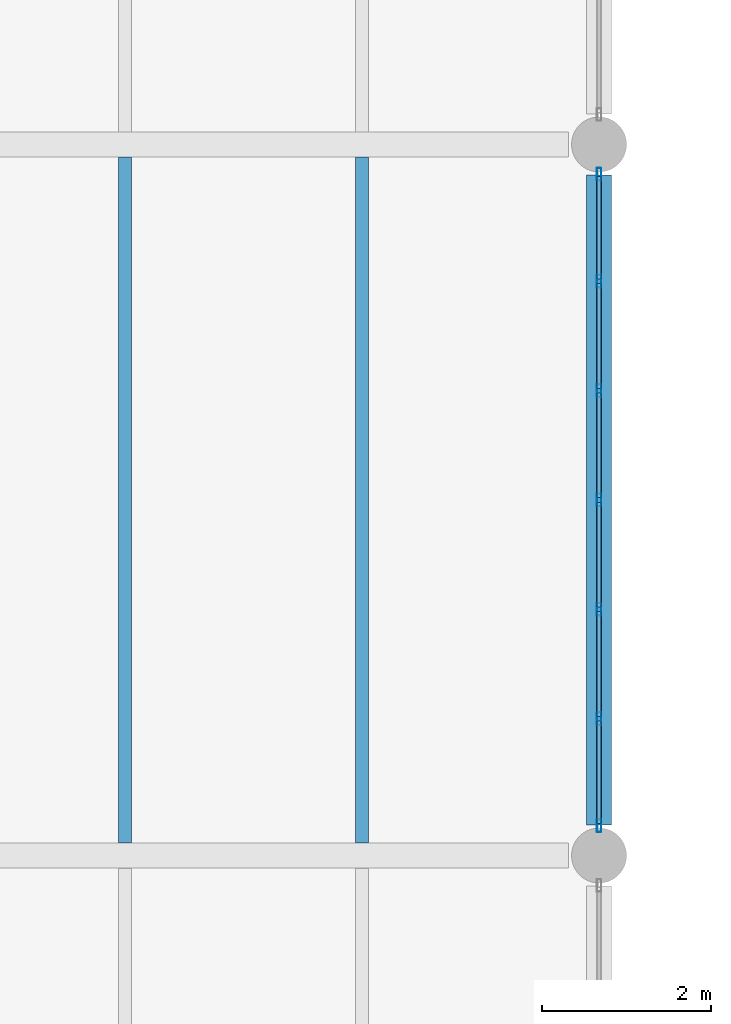
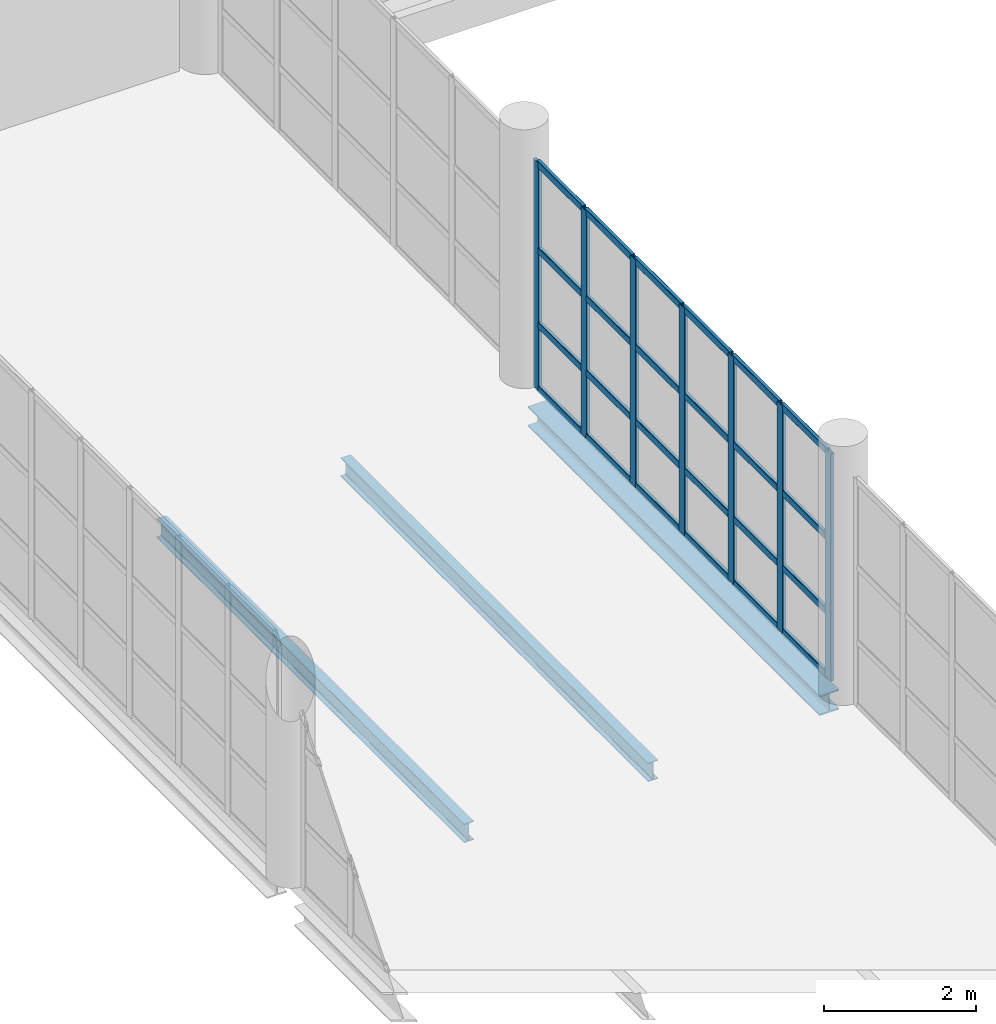
# One storey, part 38 of 177: 31 members, 3 beams, 1 element without a shape of its own.
"""IFC4 building model written with IfcOpenShell, lengths in metres."""

from ifc_helpers import new_model, si_unit, direction, frame, origin, origin_2d, place, context, subcontext, project, spatial, hollow_rectangle, i_section, extrude, material, layer, layer_set, material_profile, profile_set, type_object, element, aggregate, save


model = new_model("IFC4")

# Units and contexts
model_context = context("Model", 3, precision=1e-05, world=origin(), true_north=direction((0.0, 1.0)))
body_context = subcontext(model_context, "Body", "Model", "MODEL_VIEW")
ifc_project = project(units=[si_unit("LENGTHUNIT", "METRE"), si_unit("AREAUNIT", "SQUARE_METRE"), si_unit("VOLUMEUNIT", "CUBIC_METRE"), si_unit("PLANEANGLEUNIT", "RADIAN"), si_unit("MASSUNIT", "GRAM", prefix="KILO"), si_unit("THERMODYNAMICTEMPERATUREUNIT", "KELVIN"), si_unit("POWERUNIT", "WATT")], contexts=[model_context])

# Site, building, storey
site_placement = place(None, origin())
site = spatial("IfcSite", under=ifc_project, at=site_placement, CompositionType="ELEMENT")
building_placement = place(site_placement, origin())
building = spatial("IfcBuilding", under=site, at=building_placement, Name="Mavoryth Pier Ferry Terminal", CompositionType="ELEMENT")
storey_placement = place(building_placement, frame((0.0, 0.0, 5.43994140625)))
storey = spatial("IfcBuildingStorey", under=building, at=storey_placement, Name="L01", CompositionType="ELEMENT", Elevation=5.43994140625)

# Beams
ifc_material_1 = material(Name="Steel S355J2", Category="steel")
ifc_material_profile_1 = material_profile(ifc_material_1, i_section(OverallWidth=0.14990234375, OverallDepth=0.300048828125, WebThickness=0.007080078125, FlangeThickness=0.0107421875, FilletRadius=0.014892578125, at=origin_2d()), Name="IPE 300", Category="steel")
ifc_profile_set_1 = profile_set([ifc_material_profile_1], Name="Steel S355J2 - IPE 300")
beam_type_1 = type_object("IfcBeamType", Name="Joist-Steel-IPE300", PredefinedType="JOIST", material=ifc_profile_set_1)
for number, where, z_axis, x_axis, name in (
    (1, (53.199951171875, 55.75, -0.389892578125), (0.0, 1.0, 0.0), (-1.0, 0.0, 0.0), "Beam B01-SJ04-0176"),
    (2, (56.0, 55.75, -0.389892578125), (0.0, 1.0, 0.0), (-1.0, 0.0, 0.0), "Beam B01-SJ04-0177"),
):
    element("IfcBeam", number, at=place(storey_placement, frame(where, z_axis=z_axis, x_axis=x_axis)), inside=storey, type_object=beam_type_1, Name=name, PredefinedType="JOIST", context=body_context, shape_type="SweptSolid", body=[
        extrude(i_section(OverallWidth=0.14990234375, OverallDepth=0.300048828125, WebThickness=0.007080078125, FlangeThickness=0.0107421875, FilletRadius=0.014892578125, at=origin_2d()), origin(), (0.0, 0.0, 1.0), 8.10009765625),
    ])

# Curtain wall, members
ifc_material_2 = material(Name="Anodised Aluminium and Solar-Control Low-E Glass", Category="aluminium")
ifc_layer = layer(ifc_material_2, 0.1201171875, Name="Anodised Aluminium and Solar-Control Low-E Glass", Category="aluminium")
ifc_layer_set = layer_set([ifc_layer], Name="Anodised Aluminium and Solar-Control Low-E Glass - CW-BridgeLink-Mod1400")
curtain_wall_type = type_object("IfcCurtainWallType", Name="CW-BridgeLink-Mod1400", PredefinedType="USERDEFINED", material=ifc_layer_set)
curtain_wall_placement = place(storey_placement, origin())
curtain_wall = element("IfcCurtainWall", 3, at=curtain_wall_placement, inside=storey, type_object=curtain_wall_type, Name="Curtain Wall CW-0111-107", ObjectType="UNITISED CURTAIN WALL", PredefinedType="USERDEFINED")
ifc_material_3 = material(Name="Anodised Aluminium EN AW-6063", Category="aluminium")
ifc_material_profile_2 = material_profile(ifc_material_3, hollow_rectangle(XDim=0.054931640625, YDim=0.14990234375, WallThickness=0.00390625, InnerFilletRadius=0.00390625, OuterFilletRadius=0.008056640625, at=origin_2d()), Name="AL-MULL 150x55x4", Category="aluminium")
ifc_profile_set_2 = profile_set([ifc_material_profile_2], Name="Anodised Aluminium EN AW-6063 - AL-MULL 150x55x4")
member_type_1 = type_object("IfcMemberType", Name="Mullion-Alum-150x55", PredefinedType="MULLION", material=ifc_profile_set_2)
member_1_placement = place(storey_placement, frame((58.800048828125, 55.952392578125, 0.0), z_axis=(0.0, 0.0, 1.0), x_axis=(-1.0, 0.0, 0.0)))
member_1 = element("IfcMember", 4, at=member_1_placement, type_object=member_type_1, Name="CW08 mullion 1", PredefinedType="MULLION", context=body_context, shape_type="SweptSolid", body=[
    extrude(hollow_rectangle(XDim=0.054931640625, YDim=0.14990234375, WallThickness=0.00390625, InnerFilletRadius=0.00390625, OuterFilletRadius=0.008056640625, at=origin_2d()), origin(), (0.0, 0.0, 1.0), 3.655029296875),
])
member_2_placement = place(storey_placement, frame((58.800048828125, 57.216552734375, 0.0), z_axis=(0.0, 0.0, 1.0), x_axis=(-1.0, 0.0, 0.0)))
member_2 = element("IfcMember", 5, at=member_2_placement, type_object=member_type_1, Name="CW08 mullion 2", PredefinedType="MULLION", context=body_context, shape_type="SweptSolid", body=[
    extrude(hollow_rectangle(XDim=0.054931640625, YDim=0.14990234375, WallThickness=0.00390625, InnerFilletRadius=0.00390625, OuterFilletRadius=0.008056640625, at=origin_2d()), origin(), (0.0, 0.0, 1.0), 3.655029296875),
])
member_3_placement = place(storey_placement, frame((58.800048828125, 58.50830078125, 0.0), z_axis=(0.0, 0.0, 1.0), x_axis=(-1.0, 0.0, 0.0)))
member_3 = element("IfcMember", 6, at=member_3_placement, type_object=member_type_1, Name="CW08 mullion 3", PredefinedType="MULLION", context=body_context, shape_type="SweptSolid", body=[
    extrude(hollow_rectangle(XDim=0.054931640625, YDim=0.14990234375, WallThickness=0.00390625, InnerFilletRadius=0.00390625, OuterFilletRadius=0.008056640625, at=origin_2d()), origin(), (0.0, 0.0, 1.0), 3.655029296875),
])
member_4_placement = place(storey_placement, frame((58.800048828125, 59.800048828125, 0.0), z_axis=(0.0, 0.0, 1.0), x_axis=(-1.0, 0.0, 0.0)))
member_4 = element("IfcMember", 7, at=member_4_placement, type_object=member_type_1, Name="CW08 mullion 4", PredefinedType="MULLION", context=body_context, shape_type="SweptSolid", body=[
    extrude(hollow_rectangle(XDim=0.054931640625, YDim=0.14990234375, WallThickness=0.00390625, InnerFilletRadius=0.00390625, OuterFilletRadius=0.008056640625, at=origin_2d()), origin(), (0.0, 0.0, 1.0), 3.655029296875),
])
member_5_placement = place(storey_placement, frame((58.800048828125, 61.091552734375, 0.0), z_axis=(0.0, 0.0, 1.0), x_axis=(-1.0, 0.0, 0.0)))
member_5 = element("IfcMember", 8, at=member_5_placement, type_object=member_type_1, Name="CW08 mullion 5", PredefinedType="MULLION", context=body_context, shape_type="SweptSolid", body=[
    extrude(hollow_rectangle(XDim=0.054931640625, YDim=0.14990234375, WallThickness=0.00390625, InnerFilletRadius=0.00390625, OuterFilletRadius=0.008056640625, at=origin_2d()), origin(), (0.0, 0.0, 1.0), 3.655029296875),
])
member_6_placement = place(storey_placement, frame((58.800048828125, 62.38330078125, 0.0), z_axis=(0.0, 0.0, 1.0), x_axis=(-1.0, 0.0, 0.0)))
member_6 = element("IfcMember", 9, at=member_6_placement, type_object=member_type_1, Name="CW08 mullion 6", PredefinedType="MULLION", context=body_context, shape_type="SweptSolid", body=[
    extrude(hollow_rectangle(XDim=0.054931640625, YDim=0.14990234375, WallThickness=0.00390625, InnerFilletRadius=0.00390625, OuterFilletRadius=0.008056640625, at=origin_2d()), origin(), (0.0, 0.0, 1.0), 3.655029296875),
])
member_7_placement = place(storey_placement, frame((58.800048828125, 63.6474609375, 0.0), z_axis=(0.0, 0.0, 1.0), x_axis=(-1.0, 0.0, 0.0)))
member_7 = element("IfcMember", 10, at=member_7_placement, type_object=member_type_1, Name="CW08 mullion 7", PredefinedType="MULLION", context=body_context, shape_type="SweptSolid", body=[
    extrude(hollow_rectangle(XDim=0.054931640625, YDim=0.14990234375, WallThickness=0.00390625, InnerFilletRadius=0.00390625, OuterFilletRadius=0.008056640625, at=origin_2d()), origin(), (0.0, 0.0, 1.0), 3.655029296875),
])

# Beam
ifc_material_profile_3 = material_profile(ifc_material_1, i_section(OverallWidth=0.300048828125, OverallDepth=0.320068359375, WebThickness=0.011474609375, FlangeThickness=0.0205078125, FilletRadius=0.027099609375, at=origin_2d()), Name="HEB 320", Category="steel")
ifc_profile_set_3 = profile_set([ifc_material_profile_3], Name="Steel S355J2 - HEB 320")
beam_type_2 = type_object("IfcBeamType", Name="Spandrel-Steel-HEB320", PredefinedType="SPANDREL", material=ifc_profile_set_3)
beam_placement = place(storey_placement, frame((58.800048828125, 55.9599609375, -0.39990234375), z_axis=(0.0, 1.0, 0.0), x_axis=(-1.0, 0.0, 0.0)))
element("IfcBeam", 11, at=beam_placement, inside=storey, type_object=beam_type_2, Name="Beam B01-SP04-0170", PredefinedType="SPANDREL", context=body_context, shape_type="SweptSolid", body=[
    extrude(i_section(OverallWidth=0.300048828125, OverallDepth=0.320068359375, WebThickness=0.011474609375, FlangeThickness=0.0205078125, FilletRadius=0.027099609375, at=origin_2d()), origin(), (0.0, 0.0, 1.0), 7.679931640625),
])

# Member
ifc_material_profile_4 = material_profile(ifc_material_3, hollow_rectangle(XDim=0.054931640625, YDim=0.110107421875, WallThickness=0.00390625, InnerFilletRadius=0.00390625, OuterFilletRadius=0.008056640625, at=origin_2d()), Name="AL-TRAN 110x55x4", Category="aluminium")
ifc_profile_set_4 = profile_set([ifc_material_profile_4], Name="Anodised Aluminium EN AW-6063 - AL-TRAN 110x55x4")
member_type_2 = type_object("IfcMemberType", Name="Transom-Alum-110x55", PredefinedType="USERDEFINED", material=ifc_profile_set_4)
member_8_placement = place(storey_placement, frame((58.800048828125, 55.97998046875, 0.027587890625), z_axis=(0.0, 1.0, 0.0), x_axis=(-1.0, 0.0, 0.0)))
member_8 = element("IfcMember", 12, at=member_8_placement, type_object=member_type_2, Name="CW08 transom 1.1", ObjectType="TRANSOM", PredefinedType="USERDEFINED", context=body_context, shape_type="SweptSolid", body=[
    extrude(hollow_rectangle(XDim=0.054931640625, YDim=0.110107421875, WallThickness=0.00390625, InnerFilletRadius=0.00390625, OuterFilletRadius=0.008056640625, at=origin_2d()), origin(), (0.0, 0.0, 1.0), 1.209228515625),
])

member_9_placement = place(storey_placement, frame((58.800048828125, 55.97998046875, 1.050048828125), z_axis=(0.0, 1.0, 0.0), x_axis=(-1.0, 0.0, 0.0)))
member_9 = element("IfcMember", 13, at=member_9_placement, type_object=member_type_2, Name="CW08 transom 1.2", ObjectType="TRANSOM", PredefinedType="USERDEFINED", context=body_context, shape_type="SweptSolid", body=[
    extrude(hollow_rectangle(XDim=0.054931640625, YDim=0.110107421875, WallThickness=0.00390625, InnerFilletRadius=0.00390625, OuterFilletRadius=0.008056640625, at=origin_2d()), origin(), (0.0, 0.0, 1.0), 1.209228515625),
])

member_10_placement = place(storey_placement, frame((58.800048828125, 55.97998046875, 2.25), z_axis=(0.0, 1.0, 0.0), x_axis=(-1.0, 0.0, 0.0)))
member_10 = element("IfcMember", 14, at=member_10_placement, type_object=member_type_2, Name="CW08 transom 1.3", ObjectType="TRANSOM", PredefinedType="USERDEFINED", context=body_context, shape_type="SweptSolid", body=[
    extrude(hollow_rectangle(XDim=0.054931640625, YDim=0.110107421875, WallThickness=0.00390625, InnerFilletRadius=0.00390625, OuterFilletRadius=0.008056640625, at=origin_2d()), origin(), (0.0, 0.0, 1.0), 1.209228515625),
])

member_11_placement = place(storey_placement, frame((58.800048828125, 55.97998046875, 3.62744140625), z_axis=(0.0, 1.0, 0.0), x_axis=(-1.0, 0.0, 0.0)))
member_11 = element("IfcMember", 15, at=member_11_placement, type_object=member_type_2, Name="CW08 transom 1.4", ObjectType="TRANSOM", PredefinedType="USERDEFINED", context=body_context, shape_type="SweptSolid", body=[
    extrude(hollow_rectangle(XDim=0.054931640625, YDim=0.110107421875, WallThickness=0.00390625, InnerFilletRadius=0.00390625, OuterFilletRadius=0.008056640625, at=origin_2d()), origin(), (0.0, 0.0, 1.0), 1.209228515625),
])

member_12_placement = place(storey_placement, frame((58.800048828125, 57.244140625, 0.027587890625), z_axis=(0.0, 1.0, 0.0), x_axis=(-1.0, 0.0, 0.0)))
member_12 = element("IfcMember", 16, at=member_12_placement, type_object=member_type_2, Name="CW08 transom 2.1", ObjectType="TRANSOM", PredefinedType="USERDEFINED", context=body_context, shape_type="SweptSolid", body=[
    extrude(hollow_rectangle(XDim=0.054931640625, YDim=0.110107421875, WallThickness=0.00390625, InnerFilletRadius=0.00390625, OuterFilletRadius=0.008056640625, at=origin_2d()), origin(), (0.0, 0.0, 1.0), 1.236572265625),
])

member_13_placement = place(storey_placement, frame((58.800048828125, 57.244140625, 1.050048828125), z_axis=(0.0, 1.0, 0.0), x_axis=(-1.0, 0.0, 0.0)))
member_13 = element("IfcMember", 17, at=member_13_placement, type_object=member_type_2, Name="CW08 transom 2.2", ObjectType="TRANSOM", PredefinedType="USERDEFINED", context=body_context, shape_type="SweptSolid", body=[
    extrude(hollow_rectangle(XDim=0.054931640625, YDim=0.110107421875, WallThickness=0.00390625, InnerFilletRadius=0.00390625, OuterFilletRadius=0.008056640625, at=origin_2d()), origin(), (0.0, 0.0, 1.0), 1.236572265625),
])

member_14_placement = place(storey_placement, frame((58.800048828125, 57.244140625, 2.25), z_axis=(0.0, 1.0, 0.0), x_axis=(-1.0, 0.0, 0.0)))
member_14 = element("IfcMember", 18, at=member_14_placement, type_object=member_type_2, Name="CW08 transom 2.3", ObjectType="TRANSOM", PredefinedType="USERDEFINED", context=body_context, shape_type="SweptSolid", body=[
    extrude(hollow_rectangle(XDim=0.054931640625, YDim=0.110107421875, WallThickness=0.00390625, InnerFilletRadius=0.00390625, OuterFilletRadius=0.008056640625, at=origin_2d()), origin(), (0.0, 0.0, 1.0), 1.236572265625),
])

member_15_placement = place(storey_placement, frame((58.800048828125, 57.244140625, 3.62744140625), z_axis=(0.0, 1.0, 0.0), x_axis=(-1.0, 0.0, 0.0)))
member_15 = element("IfcMember", 19, at=member_15_placement, type_object=member_type_2, Name="CW08 transom 2.4", ObjectType="TRANSOM", PredefinedType="USERDEFINED", context=body_context, shape_type="SweptSolid", body=[
    extrude(hollow_rectangle(XDim=0.054931640625, YDim=0.110107421875, WallThickness=0.00390625, InnerFilletRadius=0.00390625, OuterFilletRadius=0.008056640625, at=origin_2d()), origin(), (0.0, 0.0, 1.0), 1.236572265625),
])

member_16_placement = place(storey_placement, frame((58.800048828125, 58.535888671875, 0.027587890625), z_axis=(0.0, 1.0, 0.0), x_axis=(-1.0, 0.0, 0.0)))
member_16 = element("IfcMember", 20, at=member_16_placement, type_object=member_type_2, Name="CW08 transom 3.1", ObjectType="TRANSOM", PredefinedType="USERDEFINED", context=body_context, shape_type="SweptSolid", body=[
    extrude(hollow_rectangle(XDim=0.054931640625, YDim=0.110107421875, WallThickness=0.00390625, InnerFilletRadius=0.00390625, OuterFilletRadius=0.008056640625, at=origin_2d()), origin(), (0.0, 0.0, 1.0), 1.236572265625),
])

member_17_placement = place(storey_placement, frame((58.800048828125, 58.535888671875, 1.050048828125), z_axis=(0.0, 1.0, 0.0), x_axis=(-1.0, 0.0, 0.0)))
member_17 = element("IfcMember", 21, at=member_17_placement, type_object=member_type_2, Name="CW08 transom 3.2", ObjectType="TRANSOM", PredefinedType="USERDEFINED", context=body_context, shape_type="SweptSolid", body=[
    extrude(hollow_rectangle(XDim=0.054931640625, YDim=0.110107421875, WallThickness=0.00390625, InnerFilletRadius=0.00390625, OuterFilletRadius=0.008056640625, at=origin_2d()), origin(), (0.0, 0.0, 1.0), 1.236572265625),
])

member_18_placement = place(storey_placement, frame((58.800048828125, 58.535888671875, 2.25), z_axis=(0.0, 1.0, 0.0), x_axis=(-1.0, 0.0, 0.0)))
member_18 = element("IfcMember", 22, at=member_18_placement, type_object=member_type_2, Name="CW08 transom 3.3", ObjectType="TRANSOM", PredefinedType="USERDEFINED", context=body_context, shape_type="SweptSolid", body=[
    extrude(hollow_rectangle(XDim=0.054931640625, YDim=0.110107421875, WallThickness=0.00390625, InnerFilletRadius=0.00390625, OuterFilletRadius=0.008056640625, at=origin_2d()), origin(), (0.0, 0.0, 1.0), 1.236572265625),
])

member_19_placement = place(storey_placement, frame((58.800048828125, 58.535888671875, 3.62744140625), z_axis=(0.0, 1.0, 0.0), x_axis=(-1.0, 0.0, 0.0)))
member_19 = element("IfcMember", 23, at=member_19_placement, type_object=member_type_2, Name="CW08 transom 3.4", ObjectType="TRANSOM", PredefinedType="USERDEFINED", context=body_context, shape_type="SweptSolid", body=[
    extrude(hollow_rectangle(XDim=0.054931640625, YDim=0.110107421875, WallThickness=0.00390625, InnerFilletRadius=0.00390625, OuterFilletRadius=0.008056640625, at=origin_2d()), origin(), (0.0, 0.0, 1.0), 1.236572265625),
])

member_20_placement = place(storey_placement, frame((58.800048828125, 59.827392578125, 0.027587890625), z_axis=(0.0, 1.0, 0.0), x_axis=(-1.0, 0.0, 0.0)))
member_20 = element("IfcMember", 24, at=member_20_placement, type_object=member_type_2, Name="CW08 transom 4.1", ObjectType="TRANSOM", PredefinedType="USERDEFINED", context=body_context, shape_type="SweptSolid", body=[
    extrude(hollow_rectangle(XDim=0.054931640625, YDim=0.110107421875, WallThickness=0.00390625, InnerFilletRadius=0.00390625, OuterFilletRadius=0.008056640625, at=origin_2d()), origin(), (0.0, 0.0, 1.0), 1.23681640625),
])

member_21_placement = place(storey_placement, frame((58.800048828125, 59.827392578125, 1.050048828125), z_axis=(0.0, 1.0, 0.0), x_axis=(-1.0, 0.0, 0.0)))
member_21 = element("IfcMember", 25, at=member_21_placement, type_object=member_type_2, Name="CW08 transom 4.2", ObjectType="TRANSOM", PredefinedType="USERDEFINED", context=body_context, shape_type="SweptSolid", body=[
    extrude(hollow_rectangle(XDim=0.054931640625, YDim=0.110107421875, WallThickness=0.00390625, InnerFilletRadius=0.00390625, OuterFilletRadius=0.008056640625, at=origin_2d()), origin(), (0.0, 0.0, 1.0), 1.23681640625),
])

member_22_placement = place(storey_placement, frame((58.800048828125, 59.827392578125, 2.25), z_axis=(0.0, 1.0, 0.0), x_axis=(-1.0, 0.0, 0.0)))
member_22 = element("IfcMember", 26, at=member_22_placement, type_object=member_type_2, Name="CW08 transom 4.3", ObjectType="TRANSOM", PredefinedType="USERDEFINED", context=body_context, shape_type="SweptSolid", body=[
    extrude(hollow_rectangle(XDim=0.054931640625, YDim=0.110107421875, WallThickness=0.00390625, InnerFilletRadius=0.00390625, OuterFilletRadius=0.008056640625, at=origin_2d()), origin(), (0.0, 0.0, 1.0), 1.23681640625),
])

member_23_placement = place(storey_placement, frame((58.800048828125, 59.827392578125, 3.62744140625), z_axis=(0.0, 1.0, 0.0), x_axis=(-1.0, 0.0, 0.0)))
member_23 = element("IfcMember", 27, at=member_23_placement, type_object=member_type_2, Name="CW08 transom 4.4", ObjectType="TRANSOM", PredefinedType="USERDEFINED", context=body_context, shape_type="SweptSolid", body=[
    extrude(hollow_rectangle(XDim=0.054931640625, YDim=0.110107421875, WallThickness=0.00390625, InnerFilletRadius=0.00390625, OuterFilletRadius=0.008056640625, at=origin_2d()), origin(), (0.0, 0.0, 1.0), 1.23681640625),
])

member_24_placement = place(storey_placement, frame((58.800048828125, 61.119140625, 0.027587890625), z_axis=(0.0, 1.0, 0.0), x_axis=(-1.0, 0.0, 0.0)))
member_24 = element("IfcMember", 28, at=member_24_placement, type_object=member_type_2, Name="CW08 transom 5.1", ObjectType="TRANSOM", PredefinedType="USERDEFINED", context=body_context, shape_type="SweptSolid", body=[
    extrude(hollow_rectangle(XDim=0.054931640625, YDim=0.110107421875, WallThickness=0.00390625, InnerFilletRadius=0.00390625, OuterFilletRadius=0.008056640625, at=origin_2d()), origin(), (0.0, 0.0, 1.0), 1.236572265625),
])

member_25_placement = place(storey_placement, frame((58.800048828125, 61.119140625, 1.050048828125), z_axis=(0.0, 1.0, 0.0), x_axis=(-1.0, 0.0, 0.0)))
member_25 = element("IfcMember", 29, at=member_25_placement, type_object=member_type_2, Name="CW08 transom 5.2", ObjectType="TRANSOM", PredefinedType="USERDEFINED", context=body_context, shape_type="SweptSolid", body=[
    extrude(hollow_rectangle(XDim=0.054931640625, YDim=0.110107421875, WallThickness=0.00390625, InnerFilletRadius=0.00390625, OuterFilletRadius=0.008056640625, at=origin_2d()), origin(), (0.0, 0.0, 1.0), 1.236572265625),
])

member_26_placement = place(storey_placement, frame((58.800048828125, 61.119140625, 2.25), z_axis=(0.0, 1.0, 0.0), x_axis=(-1.0, 0.0, 0.0)))
member_26 = element("IfcMember", 30, at=member_26_placement, type_object=member_type_2, Name="CW08 transom 5.3", ObjectType="TRANSOM", PredefinedType="USERDEFINED", context=body_context, shape_type="SweptSolid", body=[
    extrude(hollow_rectangle(XDim=0.054931640625, YDim=0.110107421875, WallThickness=0.00390625, InnerFilletRadius=0.00390625, OuterFilletRadius=0.008056640625, at=origin_2d()), origin(), (0.0, 0.0, 1.0), 1.236572265625),
])

member_27_placement = place(storey_placement, frame((58.800048828125, 61.119140625, 3.62744140625), z_axis=(0.0, 1.0, 0.0), x_axis=(-1.0, 0.0, 0.0)))
member_27 = element("IfcMember", 31, at=member_27_placement, type_object=member_type_2, Name="CW08 transom 5.4", ObjectType="TRANSOM", PredefinedType="USERDEFINED", context=body_context, shape_type="SweptSolid", body=[
    extrude(hollow_rectangle(XDim=0.054931640625, YDim=0.110107421875, WallThickness=0.00390625, InnerFilletRadius=0.00390625, OuterFilletRadius=0.008056640625, at=origin_2d()), origin(), (0.0, 0.0, 1.0), 1.236572265625),
])

member_28_placement = place(storey_placement, frame((58.800048828125, 62.410888671875, 0.027587890625), z_axis=(0.0, 1.0, 0.0), x_axis=(-1.0, 0.0, 0.0)))
member_28 = element("IfcMember", 32, at=member_28_placement, type_object=member_type_2, Name="CW08 transom 6.1", ObjectType="TRANSOM", PredefinedType="USERDEFINED", context=body_context, shape_type="SweptSolid", body=[
    extrude(hollow_rectangle(XDim=0.054931640625, YDim=0.110107421875, WallThickness=0.00390625, InnerFilletRadius=0.00390625, OuterFilletRadius=0.008056640625, at=origin_2d()), origin(), (0.0, 0.0, 1.0), 1.209228515625),
])

member_29_placement = place(storey_placement, frame((58.800048828125, 62.410888671875, 1.050048828125), z_axis=(0.0, 1.0, 0.0), x_axis=(-1.0, 0.0, 0.0)))
member_29 = element("IfcMember", 33, at=member_29_placement, type_object=member_type_2, Name="CW08 transom 6.2", ObjectType="TRANSOM", PredefinedType="USERDEFINED", context=body_context, shape_type="SweptSolid", body=[
    extrude(hollow_rectangle(XDim=0.054931640625, YDim=0.110107421875, WallThickness=0.00390625, InnerFilletRadius=0.00390625, OuterFilletRadius=0.008056640625, at=origin_2d()), origin(), (0.0, 0.0, 1.0), 1.209228515625),
])

member_30_placement = place(storey_placement, frame((58.800048828125, 62.410888671875, 2.25), z_axis=(0.0, 1.0, 0.0), x_axis=(-1.0, 0.0, 0.0)))
member_30 = element("IfcMember", 34, at=member_30_placement, type_object=member_type_2, Name="CW08 transom 6.3", ObjectType="TRANSOM", PredefinedType="USERDEFINED", context=body_context, shape_type="SweptSolid", body=[
    extrude(hollow_rectangle(XDim=0.054931640625, YDim=0.110107421875, WallThickness=0.00390625, InnerFilletRadius=0.00390625, OuterFilletRadius=0.008056640625, at=origin_2d()), origin(), (0.0, 0.0, 1.0), 1.209228515625),
])

member_31_placement = place(storey_placement, frame((58.800048828125, 62.410888671875, 3.62744140625), z_axis=(0.0, 1.0, 0.0), x_axis=(-1.0, 0.0, 0.0)))
member_31 = element("IfcMember", 35, at=member_31_placement, type_object=member_type_2, Name="CW08 transom 6.4", ObjectType="TRANSOM", PredefinedType="USERDEFINED", context=body_context, shape_type="SweptSolid", body=[
    extrude(hollow_rectangle(XDim=0.054931640625, YDim=0.110107421875, WallThickness=0.00390625, InnerFilletRadius=0.00390625, OuterFilletRadius=0.008056640625, at=origin_2d()), origin(), (0.0, 0.0, 1.0), 1.209228515625),
])

aggregate(curtain_wall, [member_1, member_2, member_3, member_4, member_5, member_6, member_7, member_8, member_9, member_10, member_11, member_12, member_13, member_14, member_15, member_16, member_17, member_18, member_19, member_20, member_21, member_22, member_23, member_24, member_25, member_26, member_27, member_28, member_29, member_30, member_31])

save(model, "model.ifc")
